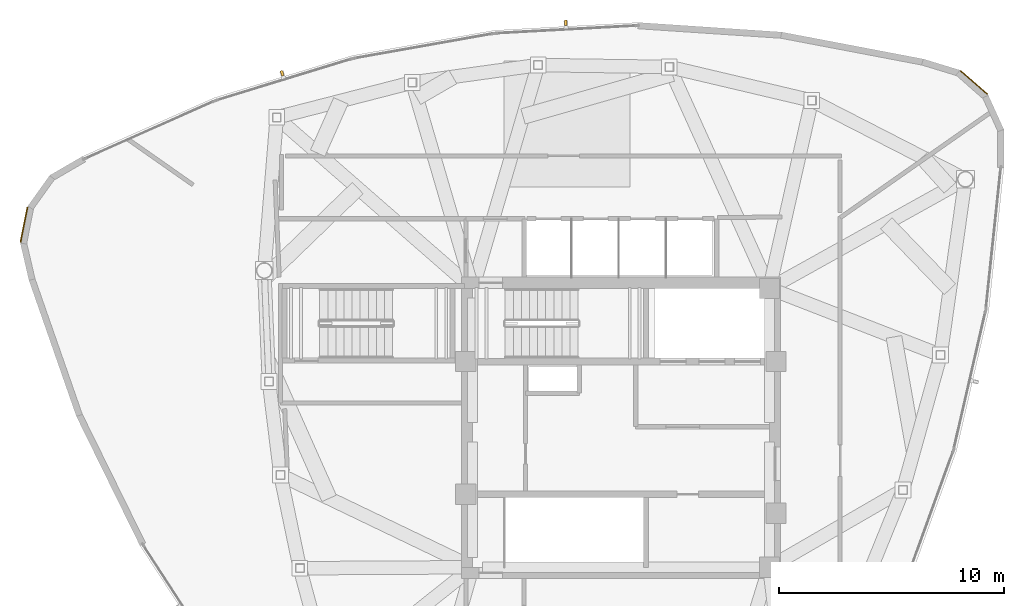
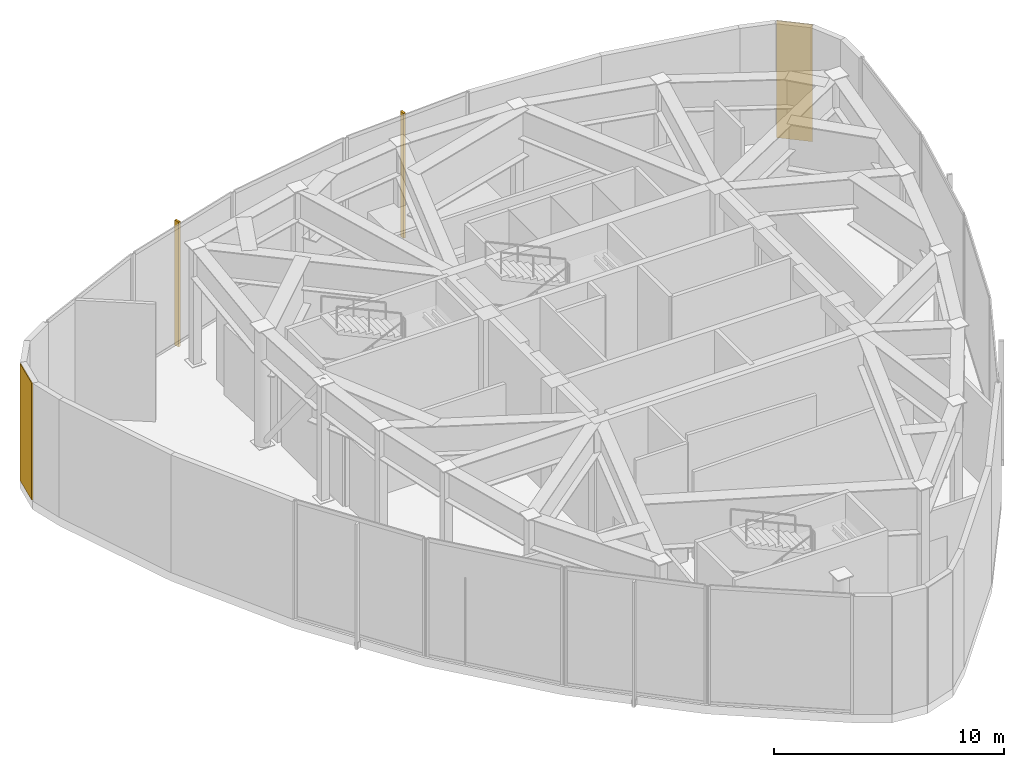
# One storey, part 13 of 13: 2 coverings, 2 shading devices.
"""IFC4 building model written with IfcOpenShell, lengths in metres."""

from ifc_helpers import new_model, si_unit, direction, frame, origin, origin_2d, place, context, subcontext, project, spatial, rectangle, extrude, source, transform, mapped, material, layer, layer_set, type_object, type_shapes, element, save


model = new_model("IFC4")

# Units and contexts
model_context = context("Model", 3, precision=1e-05, world=origin(), true_north=direction((0.0, 1.0)))
body_context = subcontext(model_context, "Body", "Model", "MODEL_VIEW")
ifc_project = project(units=[si_unit("LENGTHUNIT", "METRE"), si_unit("AREAUNIT", "SQUARE_METRE"), si_unit("VOLUMEUNIT", "CUBIC_METRE"), si_unit("PLANEANGLEUNIT", "RADIAN"), si_unit("MASSUNIT", "GRAM", prefix="KILO")], contexts=[model_context])

# Site, building, storey
site_placement = place(None, origin())
site = spatial("IfcSite", under=ifc_project, at=site_placement, CompositionType="ELEMENT")
building_placement = place(site_placement, origin())
building = spatial("IfcBuilding", under=site, at=building_placement, Name="Tavelor Broadcast Tower", CompositionType="ELEMENT")
storey_placement = place(building_placement, frame((0.0, 0.0, 325.5)))
storey = spatial("IfcBuildingStorey", under=building, at=storey_placement, Name="L78", CompositionType="ELEMENT", Elevation=325.5)

# Coverings
ifc_material_1 = material(Name="Copper-Bronze Anodized Aluminium", Category="aluminium")
ifc_layer = layer(ifc_material_1, 0.050048828125)
ifc_layer_set = layer_set([ifc_layer], Name="Copper-Bronze Anodized Aluminium")
covering_type = type_object("IfcCoveringType", Name="Champagne-Bronze Corner Pier Metal Cladding 50 mm", PredefinedType="CLADDING", material=ifc_layer_set)
for number, where, z_axis, x_axis, name in (
    (1, (23.44921875, 54.034423828125, 0.02001953125), (0.0, 0.0, 1.0), (-0.195090322016, -0.980785280403, 0.0), "L78 Champagne-Bronze Corner Cladding 03"),
    (2, (65.699462890625, 60.35888671875, 0.02001953125), (0.0, 0.0, 1.0), (-0.751839807479, 0.6593458151, 0.0), "L78 Champagne-Bronze Corner Cladding 23"),
):
    element("IfcCovering", number, at=place(storey_placement, frame(where, z_axis=z_axis, x_axis=x_axis)), inside=storey, type_object=covering_type, Name=name, PredefinedType="CLADDING", context=body_context, shape_type="SweptSolid", body=[
        extrude(rectangle(XDim=1.584716796875, YDim=0.050048828125, at=origin_2d()), origin(), (0.0, 0.0, 1.0), 6.2099609375),
    ])

# Shading devices
ifc_material_2 = material(Name="Kiln-Fired Glazed Terracotta", Category="masonry")
shading_device_type = type_object("IfcShadingDeviceType", Name="Extruded Terracotta Baguette Sun-Screen 110x240", PredefinedType="JALOUSIE", material=ifc_material_2)
shared_shape = source(origin(), body_context, "Body", "SweptSolid", [
    extrude(rectangle(XDim=0.110107421875, YDim=0.239990234375, at=origin_2d()), origin(), (0.0, 0.0, 1.0), 6.639892578125),
])
type_shapes(shading_device_type, [shared_shape])
for number, where, z_axis, x_axis, name in (
    (3, (47.546875, 63.01708984375, -0.41015625), (0.0, 0.0, 1.0), (-0.998517732425, -0.054427364735, 0.0), "L78 Terracotta Baguette Fin 743"),
    (4, (34.927734375, 60.775146484375, -0.41015625), (0.0, 0.0, 1.0), (-0.956151539415, -0.292872384621, 0.0), "L78 Terracotta Baguette Fin 744"),
):
    element("IfcShadingDevice", number, at=place(storey_placement, frame(where, z_axis=z_axis, x_axis=x_axis)), inside=storey, type_object=shading_device_type, Name=name, PredefinedType="JALOUSIE", context=body_context, shape_type="MappedRepresentation", body=[
        mapped(shared_shape, transform((0.0, 0.0, 0.0), scale=1.0)),
    ])

save(model, "model.ifc")
